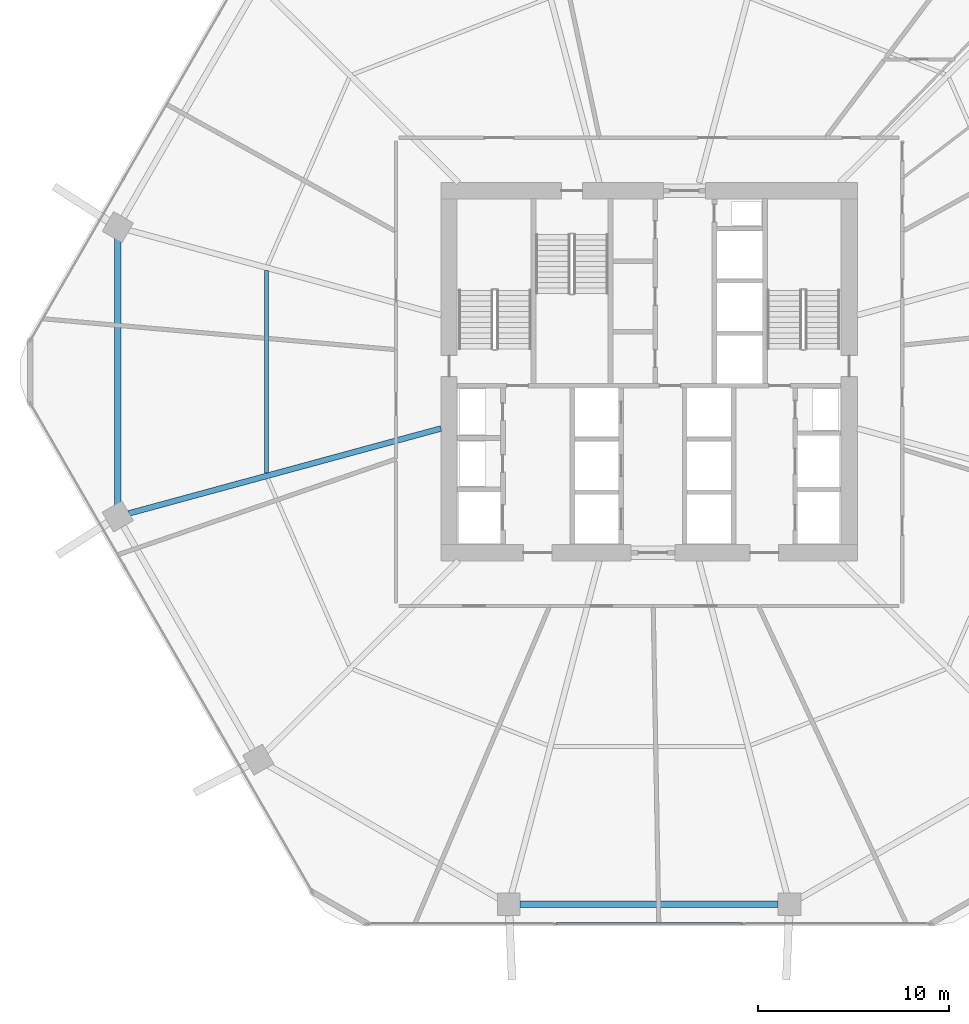
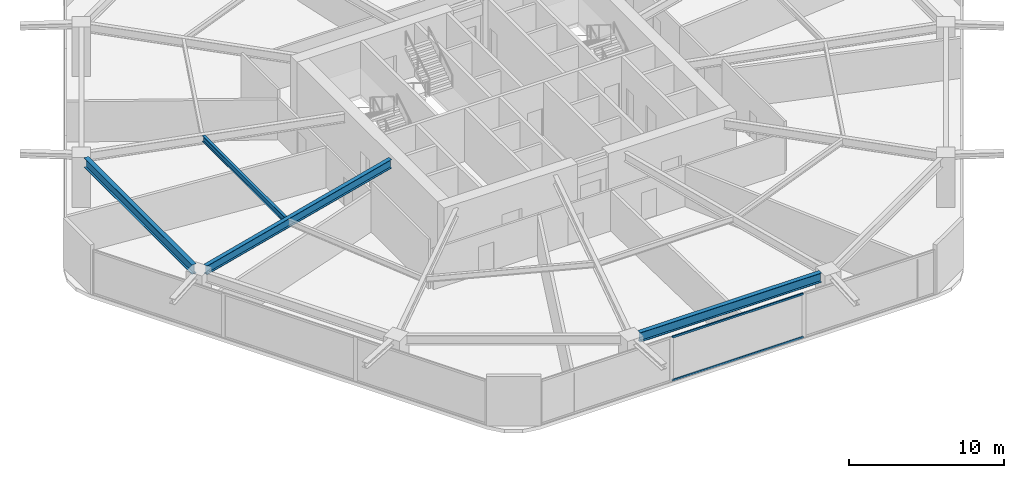
# One storey, part 6 of 25: 4 beams, 2 members, 1 element without a shape of its own.
"""IFC4 building model written with IfcOpenShell, lengths in metres."""

from ifc_helpers import new_model, si_unit, direction, frame, origin, origin_2d, place, context, subcontext, project, spatial, hollow_rectangle, i_section, extrude, material, material_profile, profile_set, type_object, element, aggregate, save


model = new_model("IFC4")

# Units and contexts
model_context = context("Model", 3, precision=1e-05, world=origin(), true_north=direction((0.0, 1.0)))
body_context = subcontext(model_context, "Body", "Model", "MODEL_VIEW")
ifc_project = project(units=[si_unit("LENGTHUNIT", "METRE"), si_unit("AREAUNIT", "SQUARE_METRE"), si_unit("VOLUMEUNIT", "CUBIC_METRE"), si_unit("PLANEANGLEUNIT", "RADIAN"), si_unit("MASSUNIT", "GRAM", prefix="KILO")], contexts=[model_context])

# Site, building, storey
site_placement = place(None, origin())
site = spatial("IfcSite", under=ifc_project, at=site_placement, CompositionType="ELEMENT")
building_placement = place(site_placement, origin())
building = spatial("IfcBuilding", under=site, at=building_placement, Name="Zuhravey Tower", CompositionType="ELEMENT")
storey_placement = place(building_placement, frame((0.0, 0.0, 62.39990234375)))
storey = spatial("IfcBuildingStorey", under=building, at=storey_placement, Name="L15", CompositionType="ELEMENT", Elevation=62.39990234375)

# Curtain wall, members
ifc_material_1 = material(Name="Thermally broken anodised aluminium", Category="aluminium")
curtain_wall_type = type_object("IfcCurtainWallType", Name="School Low-E Unitised Curtain Wall CW1", PredefinedType="NOTDEFINED", material=ifc_material_1)
curtain_wall_placement = place(storey_placement, origin())
curtain_wall = element("IfcCurtainWall", 1, at=curtain_wall_placement, inside=storey, type_object=curtain_wall_type, Name="L15 CW1 CW-L15-F5-1", PredefinedType="NOTDEFINED")
ifc_material_2 = material(Name="Anodised aluminium", Category="aluminium")
ifc_material_profile_1 = material_profile(ifc_material_2, hollow_rectangle(XDim=0.090087890625, YDim=0.14990234375, WallThickness=0.0048828125, at=origin_2d()), Name="ALU-RHS-90x150x5")
ifc_profile_set_1 = profile_set([ifc_material_profile_1], Name="Anodised aluminium")
member_type = type_object("IfcMemberType", Name="Curtain-Wall Transom 90x150", PredefinedType="USERDEFINED", material=ifc_profile_set_1)
member_1_placement = place(storey_placement, frame((40.88818359375, 3.04150390625, 0.045166015625), z_axis=(-1.0, 0.0, 0.0), x_axis=(0.0, -1.0, 0.0)))
member_1 = element("IfcMember", 2, at=member_1_placement, type_object=member_type, Name="CW1 transom 2.1", ObjectType="TRANSOM", PredefinedType="USERDEFINED", context=body_context, shape_type="SweptSolid", body=[
    extrude(hollow_rectangle(XDim=0.090087890625, YDim=0.14990234375, WallThickness=0.0048828125, at=origin_2d()), origin(), (0.0, 0.0, 1.0), 9.7763671875),
])
member_2_placement = place(storey_placement, frame((40.88818359375, 3.04150390625, 3.447021484375), z_axis=(-1.0, 0.0, 0.0), x_axis=(0.0, -1.0, 0.0)))
member_2 = element("IfcMember", 3, at=member_2_placement, type_object=member_type, Name="CW1 transom 2.2", ObjectType="TRANSOM", PredefinedType="USERDEFINED", context=body_context, shape_type="SweptSolid", body=[
    extrude(hollow_rectangle(XDim=0.090087890625, YDim=0.14990234375, WallThickness=0.0048828125, at=origin_2d()), origin(), (0.0, 0.0, 1.0), 9.7763671875),
])
aggregate(curtain_wall, [member_1, member_2])

# Beams
ifc_material_3 = material(Name="Steel SM355", Category="steel")
ifc_material_profile_2 = material_profile(ifc_material_3, i_section(OverallWidth=0.320068359375, OverallDepth=0.75, WebThickness=0.013916015625, FlangeThickness=0.02490234375, at=origin_2d()), Name="H-750x320x14x25")
ifc_profile_set_2 = profile_set([ifc_material_profile_2], Name="Steel SM355")
beam_type_1 = type_object("IfcBeamType", Name="Perimeter Ring Beam H750x320", PredefinedType="BEAM", material=ifc_profile_set_2)
beam_1_placement = place(storey_placement, frame((8.11083984375, 38.988525390625, 3.545166015625), z_axis=(0.0, -1.0, 0.0), x_axis=(1.0, 0.0, 0.0)))
element("IfcBeam", 4, at=beam_1_placement, inside=storey, type_object=beam_type_1, Name="L15 PB1 BM-L15-PB-06", PredefinedType="BEAM", context=body_context, shape_type="SweptSolid", body=[
    extrude(i_section(OverallWidth=0.320068359375, OverallDepth=0.75, WebThickness=0.013916015625, FlangeThickness=0.02490234375, at=origin_2d()), origin(), (0.0, 0.0, 1.0), 13.97705078125),
])
beam_2_placement = place(storey_placement, frame((29.23291015625, 4.051513671875, 3.545166015625), z_axis=(1.0, 0.0, 0.0), x_axis=(0.0, 1.0, 0.0)))
element("IfcBeam", 5, at=beam_2_placement, inside=storey, type_object=beam_type_1, Name="L15 PB1 BM-L15-PB-09", PredefinedType="BEAM", context=body_context, shape_type="SweptSolid", body=[
    extrude(i_section(OverallWidth=0.320068359375, OverallDepth=0.75, WebThickness=0.013916015625, FlangeThickness=0.02490234375, at=origin_2d()), origin(), (0.0, 0.0, 1.0), 13.5341796875),
])
ifc_material_profile_3 = material_profile(ifc_material_3, i_section(OverallWidth=0.300048828125, OverallDepth=0.699951171875, WebThickness=0.012939453125, FlangeThickness=0.02392578125, at=origin_2d()), Name="H-700x300x13x24")
ifc_profile_set_3 = profile_set([ifc_material_profile_3], Name="Steel SM355")
beam_type_2 = type_object("IfcBeamType", Name="Radial Primary Girder H700x300", PredefinedType="BEAM", material=ifc_profile_set_3)
beam_3_placement = place(storey_placement, frame((25.072021484375, 29.025390625, 3.570068359375), z_axis=(-0.964892480455, -0.26264520015, 0.0), x_axis=(0.26264520015, -0.964892480455, 0.0)))
element("IfcBeam", 6, at=beam_3_placement, inside=storey, type_object=beam_type_2, Name="L15 RG1 BM-L15-RAD-07", PredefinedType="BEAM", context=body_context, shape_type="SweptSolid", body=[
    extrude(i_section(OverallWidth=0.300048828125, OverallDepth=0.699951171875, WebThickness=0.012939453125, FlangeThickness=0.02392578125, at=origin_2d()), origin(), (0.0, 0.0, 1.0), 16.975341796875),
])
ifc_material_profile_4 = material_profile(ifc_material_3, i_section(OverallWidth=0.199951171875, OverallDepth=0.449951171875, WebThickness=0.009033203125, FlangeThickness=0.013916015625, at=origin_2d()), Name="H-450x200x9x14")
ifc_profile_set_4 = profile_set([ifc_material_profile_4], Name="Steel SM355")
beam_type_3 = type_object("IfcBeamType", Name="Secondary Floor Joist H450x200", PredefinedType="JOIST", material=ifc_profile_set_4)
beam_4_placement = place(storey_placement, frame((15.9130859375, 37.313720703125, 3.695068359375), z_axis=(0.0, -1.0, 0.0), x_axis=(1.0, 0.0, 0.0)))
element("IfcBeam", 7, at=beam_4_placement, inside=storey, type_object=beam_type_3, Name="L15 SJ1 BM-L15-SJ-06-1", PredefinedType="JOIST", context=body_context, shape_type="SweptSolid", body=[
    extrude(i_section(OverallWidth=0.199951171875, OverallDepth=0.449951171875, WebThickness=0.009033203125, FlangeThickness=0.013916015625, at=origin_2d()), origin(), (0.0, 0.0, 1.0), 10.62744140625),
])

save(model, "model.ifc")
